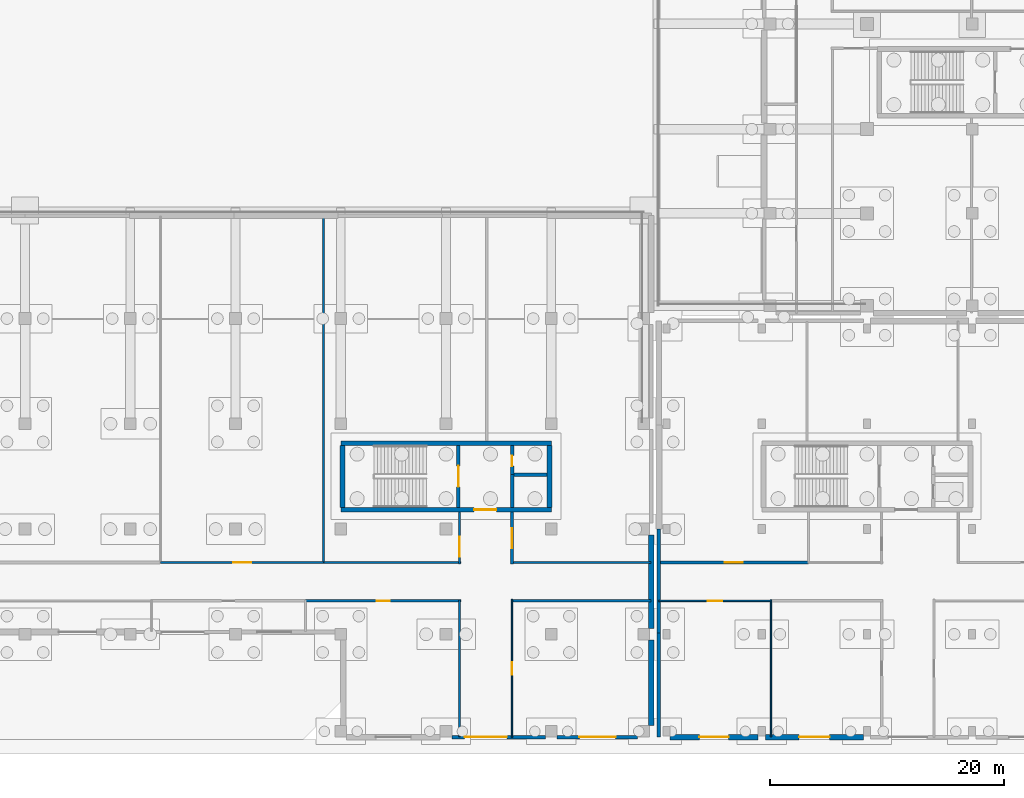
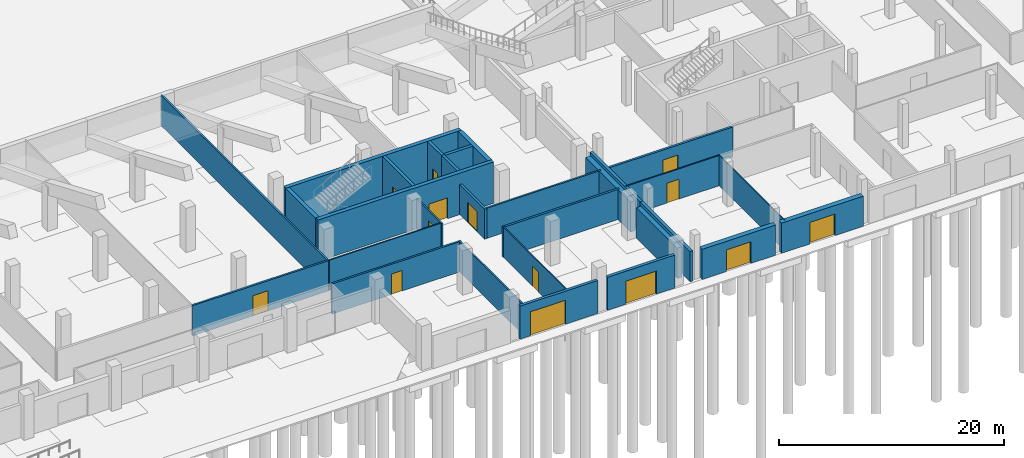
# One storey, part 24 of 53: 29 walls, 14 doors, 14 openings.
"""IFC4 building model written with IfcOpenShell, lengths in metres."""

from ifc_helpers import new_model, si_unit, direction, frame, frame_2d, origin, place, context, subcontext, project, spatial, rectangle, extrude, material, layer, layer_set, type_object, element, fill, save


model = new_model("IFC4")

# Units and contexts
model_context = context("Model", 3, precision=1e-05, world=origin(), true_north=direction((0.0, 1.0)))
body_context = subcontext(model_context, "Body", "Model", "MODEL_VIEW")
ifc_project = project(units=[si_unit("LENGTHUNIT", "METRE"), si_unit("AREAUNIT", "SQUARE_METRE"), si_unit("VOLUMEUNIT", "CUBIC_METRE"), si_unit("PLANEANGLEUNIT", "RADIAN"), si_unit("MASSUNIT", "GRAM", prefix="KILO"), si_unit("THERMODYNAMICTEMPERATUREUNIT", "KELVIN"), si_unit("POWERUNIT", "WATT")], contexts=[model_context])

# Site, building, storey
site_placement = place(None, origin())
site = spatial("IfcSite", under=ifc_project, at=site_placement, CompositionType="ELEMENT")
building_placement = place(site_placement, origin())
building = spatial("IfcBuilding", under=site, at=building_placement, Name="Sindhuravela Promenade Stadium", CompositionType="ELEMENT")
storey_placement = place(building_placement, origin())
storey = spatial("IfcBuildingStorey", under=building, at=storey_placement, Name="L00", CompositionType="ELEMENT", Elevation=0.0)

# Wall, opening, door
ifc_material_1 = material(Name="Dholpur sandstone ashlar (45 MPa)", Category="masonry")
ifc_layer_1 = layer(ifc_material_1, 0.2900390625)
ifc_layer_set_1 = layer_set([ifc_layer_1], Name="Dholpur sandstone ashlar (45 MPa)")
wall_type_1 = type_object("IfcWallType", Name="EX-WL-SND290", PredefinedType="SOLIDWALL", material=ifc_layer_set_1)
wall_1_placement = place(storey_placement, frame((152.4951171875, 0.199951171875, 0.0), z_axis=(0.0, 0.0, 1.0), x_axis=(-1.0, 0.0, 0.0)))
wall_1 = element("IfcWall", 1, at=wall_1_placement, inside=storey, type_object=wall_type_1, Name="Exterior masonry wall EW10 SOUTH L00", PredefinedType="SOLIDWALL", context=body_context, shape_type="SweptSolid", body=[
    extrude(rectangle(XDim=7.990234375, YDim=0.2900390625, at=frame_2d((3.9951171875, 0.0))), origin(), (0.0, 0.0, 1.0), 3.580078125),
])
opening_1_placement = place(wall_1_placement, frame((3.294921875, 0.0, 0.0)))
opening_1 = element("IfcOpeningElement", 2, at=opening_1_placement, cuts=wall_1, Name="Opening E05", PredefinedType="OPENING", context=body_context, shape_type="SweptSolid", body=[
    extrude(rectangle(XDim=3.60009765625, YDim=2.60009765625, at=frame_2d((1.800048828125, 1.300048828125))), frame((0.0, 0.155029296875, 0.0), z_axis=(0.0, -1.0, 0.0), x_axis=(1.0, 0.0, 0.0)), (0.0, 0.0, 1.0), 0.31005859375),
])
ifc_material_2 = material(Name="Anodised architectural aluminium 6063-T6", Category="aluminium")
door_type_1 = type_object("IfcDoorType", Name="DR-EXIT-3600x2600", OperationType="DOUBLE_DOOR_SINGLE_SWING", PredefinedType="DOOR", material=ifc_material_2)
door_1_placement = place(opening_1_placement, origin())
door_1 = element("IfcDoor", 3, at=door_1_placement, inside=storey, type_object=door_type_1, Name="Final exit door E05", OperationType="DOUBLE_DOOR_SINGLE_SWING", OverallHeight=2.60009765625, OverallWidth=3.60009765625, PredefinedType="DOOR", context=body_context, shape_type="SweptSolid", body=[
    extrude(rectangle(XDim=3.60009765625, YDim=2.60009765625, at=frame_2d((1.800048828125, 1.300048828125))), frame((0.0, 0.02490234375, 0.0), z_axis=(0.0, -1.0, 0.0), x_axis=(1.0, 0.0, 0.0)), (0.0, 0.0, 1.0), 0.050048828125),
])
fill(opening_1, door_1)

# Wall
wall_2_placement = place(storey_placement, frame((162.199951171875, 9.10009765625, 0.0), z_axis=(0.0, 0.0, 1.0), x_axis=(0.0, 1.0, 0.0)))
element("IfcWall", 4, at=wall_2_placement, inside=storey, type_object=wall_type_1, Name="Exterior masonry wall EW10 Pavilion SE L00", PredefinedType="SOLIDWALL", context=body_context, shape_type="SweptSolid", body=[
    extrude(rectangle(XDim=8.89990234375, YDim=0.2900390625, at=frame_2d((4.449951171875, 0.0))), origin(), (0.0, 0.0, 1.0), 3.280029296875),
])

# Wall, opening, door
ifc_layer_2 = layer(ifc_material_1, 0.31005859375)
ifc_layer_set_2 = layer_set([ifc_layer_2], Name="Dholpur sandstone ashlar (45 MPa)")
wall_type_2 = type_object("IfcWallType", Name="EX-WL-SND310", PredefinedType="SOLIDWALL", material=ifc_layer_set_2)
wall_3_placement = place(storey_placement, frame((160.39501953125, 0.199951171875, 0.0), z_axis=(0.0, 0.0, 1.0), x_axis=(-1.0, 0.0, 0.0)))
wall_3 = element("IfcWall", 5, at=wall_3_placement, inside=storey, type_object=wall_type_2, Name="Exterior masonry wall EW09 SOUTH L00", PredefinedType="SOLIDWALL", context=body_context, shape_type="SweptSolid", body=[
    extrude(rectangle(XDim=6.89013671875, YDim=0.31005859375, at=frame_2d((3.445068359375, 0.0))), origin(), (0.0, 0.0, 1.0), 3.580078125),
])
opening_2_placement = place(wall_3_placement, frame((1.89501953125, 0.0, 0.0)))
opening_2 = element("IfcOpeningElement", 6, at=opening_2_placement, cuts=wall_3, Name="Opening G02", PredefinedType="OPENING", context=body_context, shape_type="SweptSolid", body=[
    extrude(rectangle(XDim=3.10009765625, YDim=2.5, at=frame_2d((1.550048828125, 1.25))), frame((0.0, 0.1650390625, 0.0), z_axis=(0.0, -1.0, 0.0), x_axis=(1.0, 0.0, 0.0)), (0.0, 0.0, 1.0), 0.330078125),
])
door_type_2 = type_object("IfcDoorType", Name="DR-EXIT-3100x2500", OperationType="DOUBLE_DOOR_SINGLE_SWING", PredefinedType="DOOR", material=ifc_material_2)
door_2_placement = place(opening_2_placement, origin())
door_2 = element("IfcDoor", 7, at=door_2_placement, inside=storey, type_object=door_type_2, Name="Gate exit door G02", OperationType="DOUBLE_DOOR_SINGLE_SWING", OverallHeight=2.5, OverallWidth=3.10009765625, PredefinedType="DOOR", context=body_context, shape_type="SweptSolid", body=[
    extrude(rectangle(XDim=3.10009765625, YDim=2.5, at=frame_2d((1.550048828125, 1.25))), frame((0.0, 0.02490234375, 0.0), z_axis=(0.0, -1.0, 0.0), x_axis=(1.0, 0.0, 0.0)), (0.0, 0.0, 1.0), 0.050048828125),
])
fill(opening_2, door_2)

# Walls
wall_4_placement = place(storey_placement, frame((162.199951171875, 0.199951171875, 0.0), z_axis=(0.0, 0.0, 1.0), x_axis=(0.0, 1.0, 0.0)))
element("IfcWall", 8, at=wall_4_placement, inside=storey, type_object=wall_type_2, Name="Exterior masonry wall EW09 Pavilion SE L00", PredefinedType="SOLIDWALL", context=body_context, shape_type="SweptSolid", body=[
    extrude(rectangle(XDim=8.900146484375, YDim=0.31005859375, at=frame_2d((4.4501953125, 0.0))), origin(), (0.0, 0.0, 1.0), 3.280029296875),
])
ifc_layer_3 = layer(ifc_material_1, 0.47998046875)
ifc_layer_set_3 = layer_set([ifc_layer_3], Name="Dholpur sandstone ashlar (45 MPa)")
wall_type_3 = type_object("IfcWallType", Name="EX-WL-SND480", PredefinedType="SOLIDWALL", material=ifc_layer_set_3)
wall_5_placement = place(storey_placement, frame((161.550048828125, 8.4951171875, 0.0), z_axis=(0.0, 0.0, 1.0), x_axis=(0.0, -1.0, 0.0)))
element("IfcWall", 9, at=wall_5_placement, inside=storey, type_object=wall_type_3, Name="Exterior masonry wall EW08 SOUTH L00", PredefinedType="SOLIDWALL", context=body_context, shape_type="SweptSolid", body=[
    extrude(rectangle(XDim=7.2900390625, YDim=0.47998046875, at=frame_2d((3.64501953125, 0.0))), origin(), (0.0, 0.0, 1.0), 3.280029296875),
])

# Wall, opening, door
wall_6_placement = place(storey_placement, frame((170.695068359375, 0.199951171875, 0.0), z_axis=(0.0, 0.0, 1.0), x_axis=(-1.0, 0.0, 0.0)))
wall_6 = element("IfcWall", 10, at=wall_6_placement, inside=storey, type_object=wall_type_3, Name="Exterior masonry wall EW08 Pavilion SE L00", PredefinedType="SOLIDWALL", context=body_context, shape_type="SweptSolid", body=[
    extrude(rectangle(XDim=7.5400390625, YDim=0.47998046875, at=frame_2d((3.77001953125, 0.0))), origin(), (0.0, 0.0, 1.0), 3.280029296875),
])
opening_3_placement = place(wall_6_placement, frame((2.52001953125, 0.0, 0.0)))
opening_3 = element("IfcOpeningElement", 11, at=opening_3_placement, cuts=wall_6, Name="Opening X08", PredefinedType="OPENING", context=body_context, shape_type="SweptSolid", body=[
    extrude(rectangle(XDim=2.5, YDim=2.35009765625, at=frame_2d((1.25, 1.175048828125))), frame((0.0, 0.25, 0.0), z_axis=(0.0, -1.0, 0.0), x_axis=(1.0, 0.0, 0.0)), (0.0, 0.0, 1.0), 0.5),
])
door_type_3 = type_object("IfcDoorType", Name="DR-EXIT-2500x2350", OperationType="DOUBLE_DOOR_SINGLE_SWING", PredefinedType="DOOR", material=ifc_material_2)
door_3_placement = place(opening_3_placement, origin())
door_3 = element("IfcDoor", 12, at=door_3_placement, inside=storey, type_object=door_type_3, Name="Concourse exit discharge door X08", OperationType="DOUBLE_DOOR_SINGLE_SWING", OverallHeight=2.35009765625, OverallWidth=2.5, PredefinedType="DOOR", context=body_context, shape_type="SweptSolid", body=[
    extrude(rectangle(XDim=2.5, YDim=2.35009765625, at=frame_2d((1.25, 1.175048828125))), frame((0.0, 0.02490234375, 0.0), z_axis=(0.0, -1.0, 0.0), x_axis=(1.0, 0.0, 0.0)), (0.0, 0.0, 1.0), 0.050048828125),
])
fill(opening_3, door_3)

# Wall
ifc_layer_4 = layer(ifc_material_1, 0.5)
ifc_layer_set_4 = layer_set([ifc_layer_4], Name="Dholpur sandstone ashlar (45 MPa)")
wall_type_4 = type_object("IfcWallType", Name="EX-WL-SND500", PredefinedType="SOLIDWALL", material=ifc_layer_set_4)
wall_7_placement = place(storey_placement, frame((161.550048828125, 17.4951171875, 0.0), z_axis=(0.0, 0.0, 1.0), x_axis=(0.0, -1.0, 0.0)))
element("IfcWall", 13, at=wall_7_placement, inside=storey, type_object=wall_type_4, Name="Exterior masonry wall EW07 SOUTH L00", PredefinedType="SOLIDWALL", context=body_context, shape_type="SweptSolid", body=[
    extrude(rectangle(XDim=7.990234375, YDim=0.5, at=frame_2d((3.9951171875, 0.0))), origin(), (0.0, 0.0, 1.0), 3.280029296875),
])

# Wall, opening, door
wall_8_placement = place(storey_placement, frame((179.695068359375, 0.199951171875, 0.0), z_axis=(0.0, 0.0, 1.0), x_axis=(-1.0, 0.0, 0.0)))
wall_8 = element("IfcWall", 14, at=wall_8_placement, inside=storey, type_object=wall_type_4, Name="Exterior masonry wall EW07 Pavilion SE L00", PredefinedType="SOLIDWALL", context=body_context, shape_type="SweptSolid", body=[
    extrude(rectangle(XDim=8.39013671875, YDim=0.5, at=frame_2d((4.195068359375, 0.0))), origin(), (0.0, 0.0, 1.0), 3.280029296875),
])
opening_4_placement = place(wall_8_placement, frame((2.89501953125, 0.0, 0.0)))
opening_4 = element("IfcOpeningElement", 15, at=opening_4_placement, cuts=wall_8, Name="Opening X07", PredefinedType="OPENING", context=body_context, shape_type="SweptSolid", body=[
    extrude(rectangle(XDim=2.60009765625, YDim=2.35009765625, at=frame_2d((1.300048828125, 1.175048828125))), frame((0.0, 0.260009765625, 0.0), z_axis=(0.0, -1.0, 0.0), x_axis=(1.0, 0.0, 0.0)), (0.0, 0.0, 1.0), 0.52001953125),
])
door_type_4 = type_object("IfcDoorType", Name="DR-EXIT-2600x2350", OperationType="DOUBLE_DOOR_SINGLE_SWING", PredefinedType="DOOR", material=ifc_material_2)
door_4_placement = place(opening_4_placement, origin())
door_4 = element("IfcDoor", 16, at=door_4_placement, inside=storey, type_object=door_type_4, Name="Concourse exit discharge door X07", OperationType="DOUBLE_DOOR_SINGLE_SWING", OverallHeight=2.35009765625, OverallWidth=2.60009765625, PredefinedType="DOOR", context=body_context, shape_type="SweptSolid", body=[
    extrude(rectangle(XDim=2.60009765625, YDim=2.35009765625, at=frame_2d((1.300048828125, 1.175048828125))), frame((0.0, 0.02490234375, 0.0), z_axis=(0.0, -1.0, 0.0), x_axis=(1.0, 0.0, 0.0)), (0.0, 0.0, 1.0), 0.050048828125),
])
fill(opening_4, door_4)

ifc_material_3 = material(Name="Fire-rated gypsum partition board", Category="gypsum")
ifc_layer_5 = layer(ifc_material_3, 0.110107421875)
ifc_layer_set_5 = layer_set([ifc_layer_5], Name="Fire-rated gypsum partition board")
wall_type_5 = type_object("IfcWallType", Name="IN-WL-PAR110", PredefinedType="PARTITIONING", material=ifc_layer_set_5)
wall_9_placement = place(storey_placement, frame((149.639892578125, 11.97998046875, 0.0), z_axis=(0.0, 0.0, 1.0), x_axis=(0.0, -1.0, 0.0)))
wall_9 = element("IfcWall", 17, at=wall_9_placement, inside=storey, type_object=wall_type_5, Name="Corridor partition IW06 South Community Entrance Hall 2", PredefinedType="PARTITIONING", context=body_context, shape_type="SweptSolid", body=[
    extrude(rectangle(XDim=11.780029296875, YDim=0.110107421875, at=frame_2d((5.89013671875, 0.0))), origin(), (0.0, 0.0, 1.0), 3.280029296875),
])
opening_5_placement = place(wall_9_placement, frame((5.35009765625, 0.0, 0.0)))
opening_5 = element("IfcOpeningElement", 18, at=opening_5_placement, cuts=wall_9, Name="Opening ID12", PredefinedType="OPENING", context=body_context, shape_type="SweptSolid", body=[
    extrude(rectangle(XDim=1.080078125, YDim=2.179931640625, at=frame_2d((0.5400390625, 1.08984375))), frame((0.0, 0.06494140625, 0.0), z_axis=(0.0, -1.0, 0.0), x_axis=(1.0, 0.0, 0.0)), (0.0, 0.0, 1.0), 0.130126953125),
])
ifc_material_4 = material(Name="Architectural teak timber leaf", Category="wood")
door_type_5 = type_object("IfcDoorType", Name="DR-INT-1080x2180", OperationType="NOTDEFINED", PredefinedType="DOOR", material=ifc_material_4)
door_5_placement = place(opening_5_placement, origin())
door_5 = element("IfcDoor", 19, at=door_5_placement, inside=storey, type_object=door_type_5, Name="South Community Entrance Hall 2 door", OperationType="SINGLE_SWING_LEFT", OverallHeight=2.179931640625, OverallWidth=1.080078125, PredefinedType="DOOR", context=body_context, shape_type="SweptSolid", body=[
    extrude(rectangle(XDim=1.080078125, YDim=2.179931640625, at=frame_2d((0.5400390625, 1.08984375))), frame((0.0, 0.02490234375, 0.0), z_axis=(0.0, -1.0, 0.0), x_axis=(1.0, 0.0, 0.0)), (0.0, 0.0, 1.0), 0.050048828125),
])
fill(opening_5, door_5)

# Walls
wall_10_placement = place(storey_placement, frame((171.7900390625, 11.93994140625, 0.0), z_axis=(0.0, 0.0, 1.0), x_axis=(0.0, -1.0, 0.0)))
element("IfcWall", 20, at=wall_10_placement, inside=storey, type_object=wall_type_5, Name="Interior partition IW06 Pavilion SE L00", PredefinedType="PARTITIONING", context=body_context, shape_type="SweptSolid", body=[
    extrude(rectangle(XDim=11.699951171875, YDim=0.110107421875, at=frame_2d((5.85009765625, 0.0))), origin(), (0.0, 0.0, 1.0), 3.280029296875),
])
ifc_layer_6 = layer(ifc_material_3, 0.1298828125)
ifc_layer_set_6 = layer_set([ifc_layer_6], Name="Fire-rated gypsum partition board")
wall_type_6 = type_object("IfcWallType", Name="IN-WL-PAR130", PredefinedType="PARTITIONING", material=ifc_layer_set_6)
wall_11_placement = place(storey_placement, frame((145.239990234375, 15.139892578125, 0.0), z_axis=(0.0, 0.0, 1.0), x_axis=(-1.0, 0.0, 0.0)))
element("IfcWall", 21, at=wall_11_placement, inside=storey, type_object=wall_type_6, Name="Interior partition IW05 SOUTH L00", PredefinedType="PARTITIONING", context=body_context, shape_type="SweptSolid", body=[
    extrude(rectangle(XDim=11.6650390625, YDim=0.1298828125, at=frame_2d((5.83251953125, 0.0))), origin(), (0.0, 0.0, 1.0), 3.280029296875),
])

# Wall, opening, door
wall_12_placement = place(storey_placement, frame((171.7900390625, 11.860107421875, 0.0), z_axis=(0.0, 0.0, 1.0), x_axis=(-1.0, 0.0, 0.0)))
wall_12 = element("IfcWall", 22, at=wall_12_placement, inside=storey, type_object=wall_type_6, Name="Corridor partition IW05 Spectator Accreditation Foyer SE 3", PredefinedType="PARTITIONING", context=body_context, shape_type="SweptSolid", body=[
    extrude(rectangle(XDim=9.590087890625, YDim=0.1298828125, at=frame_2d((4.794921875, 0.0))), origin(), (0.0, 0.0, 1.0), 3.280029296875),
])
opening_6_placement = place(wall_12_placement, frame((4.169921875, 0.0, 0.0)))
opening_6 = element("IfcOpeningElement", 23, at=opening_6_placement, cuts=wall_12, Name="Opening ID04", PredefinedType="OPENING", context=body_context, shape_type="SweptSolid", body=[
    extrude(rectangle(XDim=1.25, YDim=2.14990234375, at=frame_2d((0.625, 1.074951171875))), frame((0.0, 0.074951171875, 0.0), z_axis=(0.0, -1.0, 0.0), x_axis=(1.0, 0.0, 0.0)), (0.0, 0.0, 1.0), 0.14990234375),
])
door_type_6 = type_object("IfcDoorType", Name="DR-INT-1250x2150", OperationType="NOTDEFINED", PredefinedType="DOOR", material=ifc_material_4)
door_6_placement = place(opening_6_placement, origin())
door_6 = element("IfcDoor", 24, at=door_6_placement, inside=storey, type_object=door_type_6, Name="Spectator Accreditation Foyer SE 3 door", OperationType="SINGLE_SWING_RIGHT", OverallHeight=2.14990234375, OverallWidth=1.25, PredefinedType="DOOR", context=body_context, shape_type="SweptSolid", body=[
    extrude(rectangle(XDim=1.25, YDim=2.14990234375, at=frame_2d((0.625, 1.074951171875))), frame((0.0, 0.02490234375, 0.0), z_axis=(0.0, -1.0, 0.0), x_axis=(1.0, 0.0, 0.0)), (0.0, 0.0, 1.0), 0.050048828125),
])
fill(opening_6, door_6)

ifc_layer_7 = layer(ifc_material_3, 0.14990234375)
ifc_layer_set_7 = layer_set([ifc_layer_7], Name="Fire-rated gypsum partition board")
wall_type_7 = type_object("IfcWallType", Name="IN-WL-PAR150", PredefinedType="PARTITIONING", material=ifc_layer_set_7)
wall_13_placement = place(storey_placement, frame((145.159912109375, 15.02001953125, 0.0), z_axis=(0.0, 0.0, 1.0), x_axis=(0.0, 1.0, 0.0)))
wall_13 = element("IfcWall", 25, at=wall_13_placement, inside=storey, type_object=wall_type_7, Name="Corridor partition IW04 Public Toilet Block South L00", PredefinedType="PARTITIONING", context=body_context, shape_type="SweptSolid", body=[
    extrude(rectangle(XDim=4.427978515625, YDim=0.14990234375, at=frame_2d((2.2138671875, 0.0))), origin(), (0.0, 0.0, 1.0), 3.280029296875),
])
opening_7_placement = place(wall_13_placement, frame((0.601318359375, 0.0, 0.0)))
opening_7 = element("IfcOpeningElement", 26, at=opening_7_placement, cuts=wall_13, Name="Opening ID01", PredefinedType="OPENING", context=body_context, shape_type="SweptSolid", body=[
    extrude(rectangle(XDim=1.699951171875, YDim=2.199951171875, at=frame_2d((0.85009765625, 1.10009765625))), frame((0.0, 0.0849609375, 0.0), z_axis=(0.0, -1.0, 0.0), x_axis=(1.0, 0.0, 0.0)), (0.0, 0.0, 1.0), 0.169921875),
])
door_type_7 = type_object("IfcDoorType", Name="DR-INT-1700x2200", OperationType="DOUBLE_DOOR_SINGLE_SWING", PredefinedType="DOOR", material=ifc_material_4)
door_7_placement = place(opening_7_placement, origin())
door_7 = element("IfcDoor", 27, at=door_7_placement, inside=storey, type_object=door_type_7, Name="Public Toilet Block South L00 door", OperationType="DOUBLE_DOOR_SINGLE_SWING", OverallHeight=2.199951171875, OverallWidth=1.699951171875, PredefinedType="DOOR", context=body_context, shape_type="SweptSolid", body=[
    extrude(rectangle(XDim=1.699951171875, YDim=2.199951171875, at=frame_2d((0.85009765625, 1.10009765625))), frame((0.0, 0.02490234375, 0.0), z_axis=(0.0, -1.0, 0.0), x_axis=(1.0, 0.0, 0.0)), (0.0, 0.0, 1.0), 0.050048828125),
])
fill(opening_7, door_7)

# Walls
wall_14_placement = place(storey_placement, frame((145.159912109375, 11.93994140625, 0.0), z_axis=(0.0, 0.0, 1.0), x_axis=(0.0, -1.0, 0.0)))
element("IfcWall", 28, at=wall_14_placement, inside=storey, type_object=wall_type_7, Name="Interior partition IW04 SOUTH L00", PredefinedType="PARTITIONING", context=body_context, shape_type="SweptSolid", body=[
    extrude(rectangle(XDim=11.699951171875, YDim=0.14990234375, at=frame_2d((5.85009765625, 0.0))), origin(), (0.0, 0.0, 1.0), 3.280029296875),
])
ifc_layer_8 = layer(ifc_material_3, 0.175048828125)
ifc_layer_set_8 = layer_set([ifc_layer_8], Name="Fire-rated gypsum partition board")
wall_type_8 = type_object("IfcWallType", Name="IN-WL-PAR175", PredefinedType="PARTITIONING", material=ifc_layer_set_8)
wall_15_placement = place(storey_placement, frame((133.534912109375, 44.760009765625, 0.0), z_axis=(0.0, 0.0, 1.0), x_axis=(0.0, -1.0, 0.0)))
element("IfcWall", 29, at=wall_15_placement, inside=storey, type_object=wall_type_8, Name="Interior partition IW03 SOUTH L00", PredefinedType="PARTITIONING", context=body_context, shape_type="SweptSolid", body=[
    extrude(rectangle(XDim=29.699951171875, YDim=0.175048828125, at=frame_2d((14.85009765625, 0.0))), origin(), (0.0, 0.0, 1.0), 3.280029296875),
])
wall_16_placement = place(storey_placement, frame((161.510009765625, 15.139892578125, 0.0), z_axis=(0.0, 0.0, 1.0), x_axis=(-1.0, 0.0, 0.0)))
element("IfcWall", 30, at=wall_16_placement, inside=storey, type_object=wall_type_8, Name="Interior partition IW03 SOUTH L00", PredefinedType="PARTITIONING", context=body_context, shape_type="SweptSolid", body=[
    extrude(rectangle(XDim=11.949951171875, YDim=0.175048828125, at=frame_2d((5.97509765625, 0.0))), origin(), (0.0, 0.0, 1.0), 3.280029296875),
])

# Wall, opening, door
ifc_layer_9 = layer(ifc_material_3, 0.195068359375)
ifc_layer_set_9 = layer_set([ifc_layer_9], Name="Fire-rated gypsum partition board")
wall_type_9 = type_object("IfcWallType", Name="IN-WL-PAR195", PredefinedType="PARTITIONING", material=ifc_layer_set_9)
wall_17_placement = place(storey_placement, frame((119.58740234375, 15.139892578125, 0.0), z_axis=(0.0, 0.0, 1.0), x_axis=(1.0, 0.0, 0.0)))
wall_17 = element("IfcWall", 31, at=wall_17_placement, inside=storey, type_object=wall_type_9, Name="Corridor partition IW02 Fire Pump and Tank Plant Room", PredefinedType="PARTITIONING", context=body_context, shape_type="SweptSolid", body=[
    extrude(rectangle(XDim=13.947509765625, YDim=0.195068359375, at=frame_2d((6.9736328125, 0.0))), origin(), (0.0, 0.0, 1.0), 3.280029296875),
])
opening_8_placement = place(wall_17_placement, frame((6.19873046875, 0.0, 0.0)))
opening_8 = element("IfcOpeningElement", 32, at=opening_8_placement, cuts=wall_17, Name="Opening ID02", PredefinedType="OPENING", context=body_context, shape_type="SweptSolid", body=[
    extrude(rectangle(XDim=1.550048828125, YDim=2.199951171875, at=frame_2d((0.77490234375, 1.10009765625))), frame((0.0, 0.107421875, 0.0), z_axis=(0.0, -1.0, 0.0), x_axis=(1.0, 0.0, 0.0)), (0.0, 0.0, 1.0), 0.215087890625),
])
door_type_8 = type_object("IfcDoorType", Name="DR-INT-1550x2200", OperationType="DOUBLE_DOOR_SINGLE_SWING", PredefinedType="DOOR", material=ifc_material_4)
door_8_placement = place(opening_8_placement, origin())
door_8 = element("IfcDoor", 33, at=door_8_placement, inside=storey, type_object=door_type_8, Name="Fire Pump and Tank Plant Room door", OperationType="DOUBLE_DOOR_SINGLE_SWING", OverallHeight=2.199951171875, OverallWidth=1.550048828125, PredefinedType="DOOR", context=body_context, shape_type="SweptSolid", body=[
    extrude(rectangle(XDim=1.550048828125, YDim=2.199951171875, at=frame_2d((0.77490234375, 1.10009765625))), frame((0.0, 0.02490234375, 0.0), z_axis=(0.0, -1.0, 0.0), x_axis=(1.0, 0.0, 0.0)), (0.0, 0.0, 1.0), 0.050048828125),
])
fill(opening_8, door_8)

wall_18_placement = place(storey_placement, frame((145.280029296875, 11.860107421875, 0.0), z_axis=(0.0, 0.0, 1.0), x_axis=(-1.0, 0.0, 0.0)))
wall_18 = element("IfcWall", 34, at=wall_18_placement, inside=storey, type_object=wall_type_9, Name="Corridor partition IW02 Fire Pump and Tank Plant Room 3", PredefinedType="PARTITIONING", context=body_context, shape_type="SweptSolid", body=[
    extrude(rectangle(XDim=13.293212890625, YDim=0.195068359375, at=frame_2d((6.646484375, 0.0))), origin(), (0.0, 0.0, 1.0), 3.280029296875),
])
opening_9_placement = place(wall_18_placement, frame((6.086669921875, 0.0, 0.0)))
opening_9 = element("IfcOpeningElement", 35, at=opening_9_placement, cuts=wall_18, Name="Opening ID13", PredefinedType="OPENING", context=body_context, shape_type="SweptSolid", body=[
    extrude(rectangle(XDim=1.1201171875, YDim=2.219970703125, at=frame_2d((0.56005859375, 1.10986328125))), frame((0.0, 0.107421875, 0.0), z_axis=(0.0, -1.0, 0.0), x_axis=(1.0, 0.0, 0.0)), (0.0, 0.0, 1.0), 0.215087890625),
])
door_type_9 = type_object("IfcDoorType", Name="DR-INT-1120x2220", OperationType="NOTDEFINED", PredefinedType="DOOR", material=ifc_material_4)
door_9_placement = place(opening_9_placement, origin())
door_9 = element("IfcDoor", 36, at=door_9_placement, inside=storey, type_object=door_type_9, Name="Fire Pump and Tank Plant Room 3 door", OperationType="SINGLE_SWING_RIGHT", OverallHeight=2.219970703125, OverallWidth=1.1201171875, PredefinedType="DOOR", context=body_context, shape_type="SweptSolid", body=[
    extrude(rectangle(XDim=1.1201171875, YDim=2.219970703125, at=frame_2d((0.56005859375, 1.10986328125))), frame((0.0, 0.02490234375, 0.0), z_axis=(0.0, -1.0, 0.0), x_axis=(1.0, 0.0, 0.0)), (0.0, 0.0, 1.0), 0.050048828125),
])
fill(opening_9, door_9)

ifc_layer_10 = layer(ifc_material_3, 0.219970703125)
ifc_layer_set_10 = layer_set([ifc_layer_10], Name="Fire-rated gypsum partition board")
wall_type_10 = type_object("IfcWallType", Name="IN-WL-PAR220", PredefinedType="PARTITIONING", material=ifc_layer_set_10)
wall_19_placement = place(storey_placement, frame((149.639892578125, 19.447998046875, 0.0), z_axis=(0.0, 0.0, 1.0), x_axis=(0.0, -1.0, 0.0)))
wall_19 = element("IfcWall", 37, at=wall_19_placement, inside=storey, type_object=wall_type_10, Name="Corridor partition IW01 Event Steward Briefing Room", PredefinedType="PARTITIONING", context=body_context, shape_type="SweptSolid", body=[
    extrude(rectangle(XDim=4.427978515625, YDim=0.219970703125, at=frame_2d((2.2138671875, 0.0))), origin(), (0.0, 0.0, 1.0), 3.280029296875),
])
opening_10_placement = place(wall_19_placement, frame((1.3779296875, 0.0, 0.0)))
opening_10 = element("IfcOpeningElement", 38, at=opening_10_placement, cuts=wall_19, Name="Opening ID01", PredefinedType="OPENING", context=body_context, shape_type="SweptSolid", body=[
    extrude(rectangle(XDim=1.699951171875, YDim=2.199951171875, at=frame_2d((0.85009765625, 1.10009765625))), frame((0.0, 0.119873046875, 0.0), z_axis=(0.0, -1.0, 0.0), x_axis=(1.0, 0.0, 0.0)), (0.0, 0.0, 1.0), 0.239990234375),
])
door_10_placement = place(opening_10_placement, origin())
door_10 = element("IfcDoor", 39, at=door_10_placement, inside=storey, type_object=door_type_7, Name="Event Steward Briefing Room door", OperationType="DOUBLE_DOOR_SINGLE_SWING", OverallHeight=2.199951171875, OverallWidth=1.699951171875, PredefinedType="DOOR", context=body_context, shape_type="SweptSolid", body=[
    extrude(rectangle(XDim=1.699951171875, YDim=2.199951171875, at=frame_2d((0.85009765625, 1.10009765625))), frame((0.0, 0.02490234375, 0.0), z_axis=(0.0, -1.0, 0.0), x_axis=(1.0, 0.0, 0.0)), (0.0, 0.0, 1.0), 0.050048828125),
])
fill(opening_10, door_10)

# Wall
wall_20_placement = place(storey_placement, frame((149.56005859375, 11.860107421875, 0.0), z_axis=(0.0, 0.0, 1.0), x_axis=(1.0, 0.0, 0.0)))
element("IfcWall", 40, at=wall_20_placement, inside=storey, type_object=wall_type_10, Name="Interior partition IW01 SOUTH L00", PredefinedType="PARTITIONING", context=body_context, shape_type="SweptSolid", body=[
    extrude(rectangle(XDim=11.949951171875, YDim=0.219970703125, at=frame_2d((5.97509765625, 0.0))), origin(), (0.0, 0.0, 1.0), 3.280029296875),
])

# Wall, opening, door
wall_21_placement = place(storey_placement, frame((162.199951171875, 15.139892578125, 0.0), z_axis=(0.0, 0.0, 1.0), x_axis=(1.0, 0.0, 0.0)))
wall_21 = element("IfcWall", 41, at=wall_21_placement, inside=storey, type_object=wall_type_10, Name="Corridor partition IW01 Spectator Accreditation Foyer SE", PredefinedType="PARTITIONING", context=body_context, shape_type="SweptSolid", body=[
    extrude(rectangle(XDim=12.800048828125, YDim=0.219970703125, at=frame_2d((6.39990234375, 0.0))), origin(), (0.0, 0.0, 1.0), 3.280029296875),
])
opening_11_placement = place(wall_21_placement, frame((5.625, 0.0, 0.0)))
opening_11 = element("IfcOpeningElement", 42, at=opening_11_placement, cuts=wall_21, Name="Opening ID02", PredefinedType="OPENING", context=body_context, shape_type="SweptSolid", body=[
    extrude(rectangle(XDim=1.550048828125, YDim=2.199951171875, at=frame_2d((0.77490234375, 1.10009765625))), frame((0.0, 0.119873046875, 0.0), z_axis=(0.0, -1.0, 0.0), x_axis=(1.0, 0.0, 0.0)), (0.0, 0.0, 1.0), 0.239990234375),
])
door_11_placement = place(opening_11_placement, origin())
door_11 = element("IfcDoor", 43, at=door_11_placement, inside=storey, type_object=door_type_8, Name="Spectator Accreditation Foyer SE door", OperationType="DOUBLE_DOOR_SINGLE_SWING", OverallHeight=2.199951171875, OverallWidth=1.550048828125, PredefinedType="DOOR", context=body_context, shape_type="SweptSolid", body=[
    extrude(rectangle(XDim=1.550048828125, YDim=2.199951171875, at=frame_2d((0.77490234375, 1.10009765625))), frame((0.0, 0.02490234375, 0.0), z_axis=(0.0, -1.0, 0.0), x_axis=(1.0, 0.0, 0.0)), (0.0, 0.0, 1.0), 0.050048828125),
])
fill(opening_11, door_11)

ifc_material_5 = material(Name="Concrete M50", Category="concrete")
ifc_layer_11 = layer(ifc_material_5, 0.300048828125)
ifc_layer_set_11 = layer_set([ifc_layer_11], Name="Concrete M50")
wall_type_11 = type_object("IfcWallType", Name="RC-SW-300", PredefinedType="SHEAR", material=ifc_layer_set_11)
wall_22_placement = place(storey_placement, frame((145.050048828125, 19.85009765625, 0.0), z_axis=(0.0, 0.0, 1.0), x_axis=(0.0, 1.0, 0.0)))
wall_22 = element("IfcWall", 44, at=wall_22_placement, inside=storey, type_object=wall_type_11, Name="Core shear wall C12-ST (L00)", PredefinedType="SHEAR", context=body_context, shape_type="SweptSolid", body=[
    extrude(rectangle(XDim=5.2998046875, YDim=0.300048828125, at=frame_2d((2.64990234375, 0.0))), origin(), (0.0, 0.0, 1.0), 4.5),
])
opening_12_placement = place(wall_22_placement, frame((1.75, 0.0, 0.0)))
opening_12 = element("IfcOpeningElement", 45, at=opening_12_placement, cuts=wall_22, Name="Opening FD01", PredefinedType="OPENING", context=body_context, shape_type="SweptSolid", body=[
    extrude(rectangle(XDim=1.800048828125, YDim=2.25, at=frame_2d((0.89990234375, 1.125))), frame((0.0, 0.159912109375, 0.0), z_axis=(0.0, -1.0, 0.0), x_axis=(1.0, 0.0, 0.0)), (0.0, 0.0, 1.0), 0.320068359375),
])
ifc_material_6 = material(Name="Architectural wrought steel E350", Category="steel")
door_type_10 = type_object("IfcDoorType", Name="DR-CORE-1800x2250", OperationType="DOUBLE_DOOR_SINGLE_SWING", PredefinedType="DOOR", material=ifc_material_6)
door_12_placement = place(opening_12_placement, origin())
door_12 = element("IfcDoor", 46, at=door_12_placement, inside=storey, type_object=door_type_10, Name="Stair ST12 lobby fire door (L00)", OperationType="DOUBLE_DOOR_SINGLE_SWING", OverallHeight=2.25, OverallWidth=1.800048828125, PredefinedType="DOOR", context=body_context, shape_type="SweptSolid", body=[
    extrude(rectangle(XDim=1.800048828125, YDim=2.25, at=frame_2d((0.89990234375, 1.125))), frame((0.0, 0.02490234375, 0.0), z_axis=(0.0, -1.0, 0.0), x_axis=(1.0, 0.0, 0.0)), (0.0, 0.0, 1.0), 0.050048828125),
])
fill(opening_12, door_12)

# Wall
wall_23_placement = place(storey_placement, frame((149.64990234375, 19.85009765625, 0.0), z_axis=(0.0, 0.0, 1.0), x_axis=(0.0, 1.0, 0.0)))
element("IfcWall", 47, at=wall_23_placement, inside=storey, type_object=wall_type_11, Name="Core shear wall C12-LFT (L00)", PredefinedType="SHEAR", context=body_context, shape_type="SweptSolid", body=[
    extrude(rectangle(XDim=2.7998046875, YDim=0.300048828125, at=frame_2d((1.39990234375, 0.0))), origin(), (0.0, 0.0, 1.0), 4.5),
])

# Wall, opening, door
wall_24_placement = place(storey_placement, frame((149.64990234375, 22.64990234375, 0.0), z_axis=(0.0, 0.0, 1.0), x_axis=(0.0, 1.0, 0.0)))
wall_24 = element("IfcWall", 48, at=wall_24_placement, inside=storey, type_object=wall_type_11, Name="Core shear wall C12-RSR (L00)", PredefinedType="SHEAR", context=body_context, shape_type="SweptSolid", body=[
    extrude(rectangle(XDim=2.5, YDim=0.300048828125, at=frame_2d((1.25, 0.0))), origin(), (0.0, 0.0, 1.0), 4.5),
])
opening_13_placement = place(wall_24_placement, frame((0.72509765625, 0.0, 0.0)))
opening_13 = element("IfcOpeningElement", 49, at=opening_13_placement, cuts=wall_24, Name="Opening FD03", PredefinedType="OPENING", context=body_context, shape_type="SweptSolid", body=[
    extrude(rectangle(XDim=0.89990234375, YDim=2.10009765625, at=frame_2d((0.449951171875, 1.050048828125))), frame((0.0, 0.159912109375, 0.0), z_axis=(0.0, -1.0, 0.0), x_axis=(1.0, 0.0, 0.0)), (0.0, 0.0, 1.0), 0.320068359375),
])
door_type_11 = type_object("IfcDoorType", Name="DR-RSR-900x2100", OperationType="NOTDEFINED", PredefinedType="DOOR", material=ifc_material_6)
door_13_placement = place(opening_13_placement, origin())
door_13 = element("IfcDoor", 50, at=door_13_placement, inside=storey, type_object=door_type_11, Name="Riser shaft access door C12 (L00)", OperationType="SINGLE_SWING_LEFT", OverallHeight=2.10009765625, OverallWidth=0.89990234375, PredefinedType="DOOR", context=body_context, shape_type="SweptSolid", body=[
    extrude(rectangle(XDim=0.89990234375, YDim=2.10009765625, at=frame_2d((0.449951171875, 1.050048828125))), frame((0.0, 0.02490234375, 0.0), z_axis=(0.0, -1.0, 0.0), x_axis=(1.0, 0.0, 0.0)), (0.0, 0.0, 1.0), 0.050048828125),
])
fill(opening_13, door_13)

# Wall
wall_25_placement = place(storey_placement, frame((149.800048828125, 22.64990234375, 0.0), z_axis=(0.0, 0.0, 1.0), x_axis=(1.0, 0.0, 0.0)))
element("IfcWall", 51, at=wall_25_placement, inside=storey, type_object=wall_type_11, Name="Core shear wall C12-DIV (L00)", PredefinedType="SHEAR", context=body_context, shape_type="SweptSolid", body=[
    extrude(rectangle(XDim=2.849853515625, YDim=0.300048828125, at=frame_2d((1.4248046875, 0.0))), origin(), (0.0, 0.0, 1.0), 4.5),
])

# Wall, opening, door
ifc_layer_12 = layer(ifc_material_5, 0.39990234375)
ifc_layer_set_12 = layer_set([ifc_layer_12], Name="Concrete M50")
wall_type_12 = type_object("IfcWallType", Name="RC-SW-400", PredefinedType="SHEAR", material=ifc_layer_set_12)
wall_26_placement = place(storey_placement, frame((135.0, 19.64990234375, 0.0), z_axis=(0.0, 0.0, 1.0), x_axis=(1.0, 0.0, 0.0)))
wall_26 = element("IfcWall", 52, at=wall_26_placement, inside=storey, type_object=wall_type_12, Name="Core shear wall C12-S (L00)", PredefinedType="SHEAR", context=body_context, shape_type="SweptSolid", body=[
    extrude(rectangle(XDim=18.0, YDim=0.39990234375, at=frame_2d((9.0, 0.0))), origin(), (0.0, 0.0, 1.0), 4.5),
])
opening_14_placement = place(wall_26_placement, frame((11.39990234375, 0.0, 0.0)))
opening_14 = element("IfcOpeningElement", 53, at=opening_14_placement, cuts=wall_26, Name="Opening FD02", PredefinedType="OPENING", context=body_context, shape_type="SweptSolid", body=[
    extrude(rectangle(XDim=1.89990234375, YDim=2.25, at=frame_2d((0.949951171875, 1.125))), frame((0.0, 0.2099609375, 0.0), z_axis=(0.0, -1.0, 0.0), x_axis=(1.0, 0.0, 0.0)), (0.0, 0.0, 1.0), 0.419921875),
])
door_type_12 = type_object("IfcDoorType", Name="DR-LOB-1900x2250", OperationType="DOUBLE_DOOR_SINGLE_SWING", PredefinedType="DOOR", material=ifc_material_6)
door_14_placement = place(opening_14_placement, origin())
door_14 = element("IfcDoor", 54, at=door_14_placement, inside=storey, type_object=door_type_12, Name="Protected lobby entrance door C12 (L00)", OperationType="DOUBLE_DOOR_SINGLE_SWING", OverallHeight=2.25, OverallWidth=1.89990234375, PredefinedType="DOOR", context=body_context, shape_type="SweptSolid", body=[
    extrude(rectangle(XDim=1.89990234375, YDim=2.25, at=frame_2d((0.949951171875, 1.125))), frame((0.0, 0.02490234375, 0.0), z_axis=(0.0, -1.0, 0.0), x_axis=(1.0, 0.0, 0.0)), (0.0, 0.0, 1.0), 0.050048828125),
])
fill(opening_14, door_14)

# Walls
wall_27_placement = place(storey_placement, frame((153.0, 25.35009765625, 0.0), z_axis=(0.0, 0.0, 1.0), x_axis=(-1.0, 0.0, 0.0)))
element("IfcWall", 55, at=wall_27_placement, inside=storey, type_object=wall_type_12, Name="Core shear wall C12-N (L00)", PredefinedType="SHEAR", context=body_context, shape_type="SweptSolid", body=[
    extrude(rectangle(XDim=18.0, YDim=0.39990234375, at=frame_2d((9.0, 0.0))), origin(), (0.0, 0.0, 1.0), 4.5),
])
for number, where, z_axis, x_axis, name in (
    (56, (135.14990234375, 25.14990234375, 0.0), (0.0, 0.0, 1.0), (0.0, -1.0, 0.0), "Core shear wall C12-W (L00)"),
    (57, (152.85009765625, 19.85009765625, 0.0), (0.0, 0.0, 1.0), (0.0, 1.0, 0.0), "Core shear wall C12-E (L00)"),
):
    element("IfcWall", number, at=place(storey_placement, frame(where, z_axis=z_axis, x_axis=x_axis)), inside=storey, type_object=wall_type_12, Name=name, PredefinedType="SHEAR", context=body_context, shape_type="SweptSolid", body=[
        extrude(rectangle(XDim=5.2998046875, YDim=0.39990234375, at=frame_2d((2.64990234375, 0.0))), origin(), (0.0, 0.0, 1.0), 4.5),
    ])

save(model, "model.ifc")
